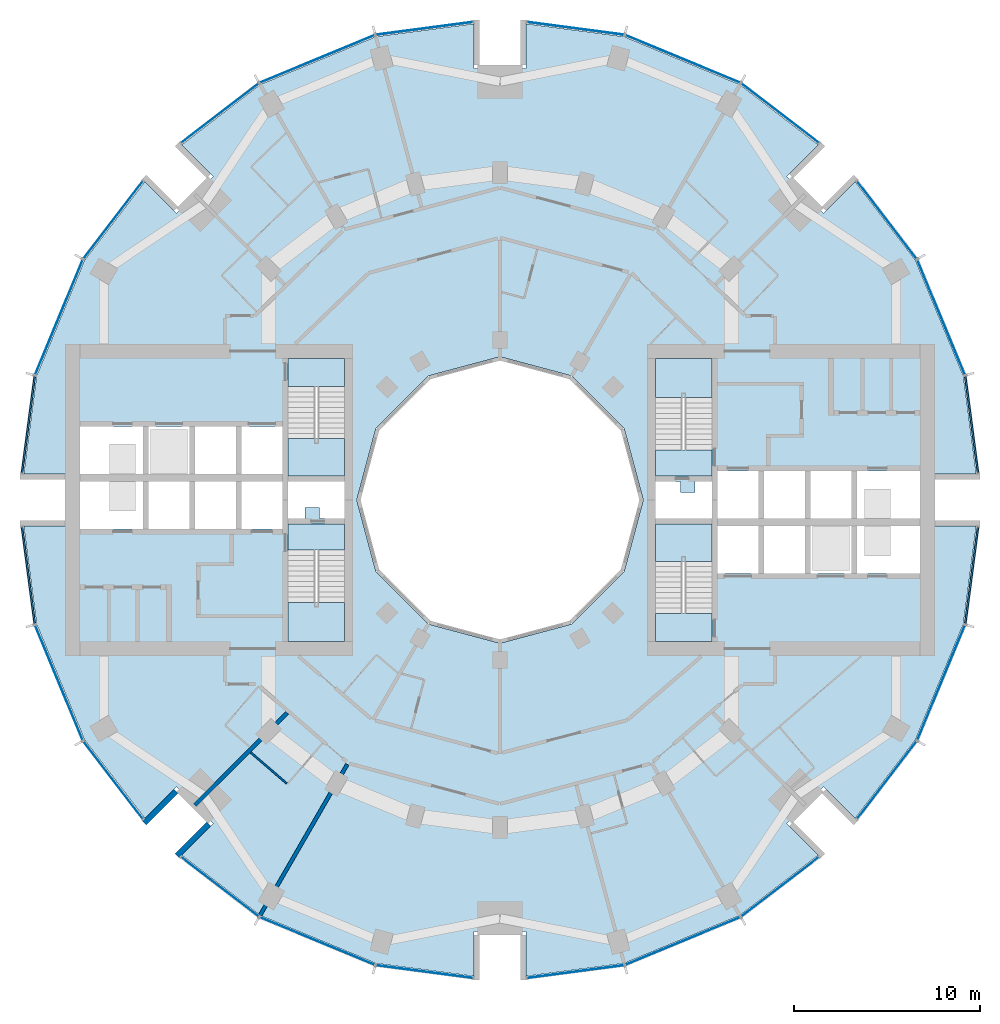
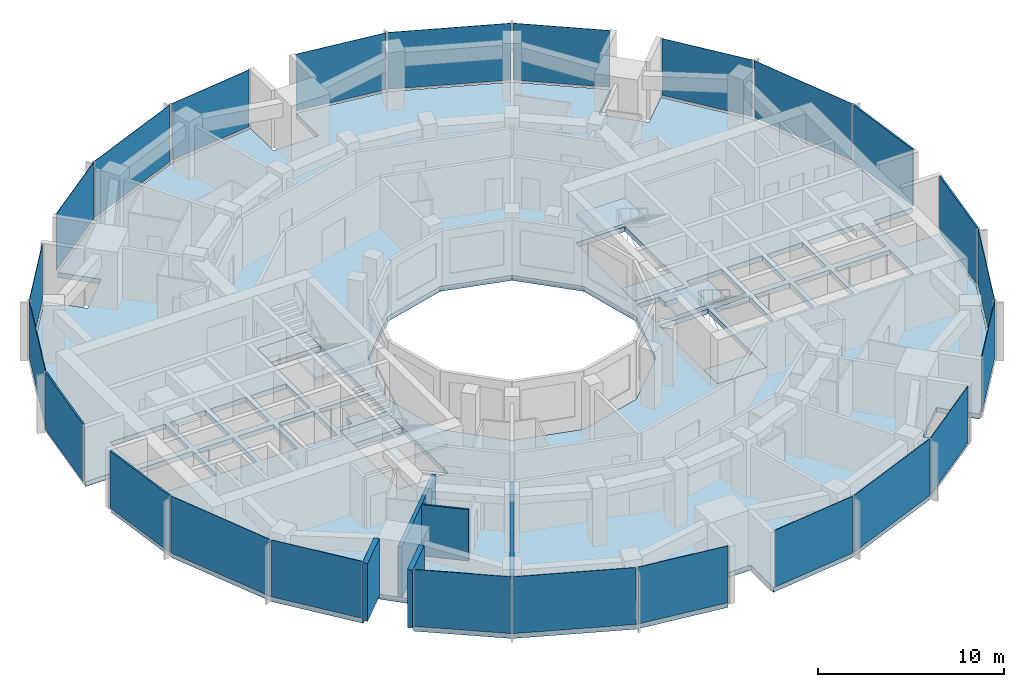
# One storey, part 7 of 15: 24 plates, 9 slabs, 5 walls, 28 elements without a shape of their own.
"""IFC4 building model written with IfcOpenShell, lengths in metres."""

from ifc_helpers import new_model, si_unit, direction, frame, frame_2d, origin, origin_2d, place, context, subcontext, project, spatial, polyline, rectangle, outline, extrude, material, layer, layer_set, type_object, element, aggregate, save


model = new_model("IFC4")

# Units and contexts
model_context = context("Model", 3, precision=1e-05, world=origin(), true_north=direction((0.0, 1.0)))
body_context = subcontext(model_context, "Body", "Model", "MODEL_VIEW")
ifc_project = project(units=[si_unit("LENGTHUNIT", "METRE"), si_unit("AREAUNIT", "SQUARE_METRE"), si_unit("VOLUMEUNIT", "CUBIC_METRE"), si_unit("PLANEANGLEUNIT", "RADIAN"), si_unit("MASSUNIT", "GRAM", prefix="KILO")], contexts=[model_context])

# Site, building, storey
site_placement = place(None, origin())
site = spatial("IfcSite", under=ifc_project, at=site_placement, CompositionType="ELEMENT")
building_placement = place(site_placement, origin())
building = spatial("IfcBuilding", under=site, at=building_placement, Name="Torre Brocal", CompositionType="ELEMENT")
storey_placement = place(building_placement, frame((0.0, 0.0, 93.800048828125)))
storey = spatial("IfcBuildingStorey", under=building, at=storey_placement, Name="L21", CompositionType="ELEMENT", Elevation=93.800048828125)

# Curtain wall, plate
ifc_material_1 = material(Name="Aluminium and glass", Category="aluminium")
ifc_layer_1 = layer(ifc_material_1, 0.199951171875)
ifc_layer_set_1 = layer_set([ifc_layer_1], Name="Aluminium and glass")
curtain_wall_type_1 = type_object("IfcCurtainWallType", Name="CW-1 CURTAIN WALL 3800 HIGH", PredefinedType="NOTDEFINED", material=ifc_layer_set_1)
curtain_wall_1_placement = place(storey_placement, origin())
curtain_wall_1 = element("IfcCurtainWall", 1, at=curtain_wall_1_placement, inside=storey, type_object=curtain_wall_type_1, Name="CW-1 RUN 2", PredefinedType="NOTDEFINED")
ifc_material_2 = material(Name="Glass, dark tinted laminated", Category="glass")
ifc_layer_2 = layer(ifc_material_2, 0.031982421875)
ifc_layer_set_2 = layer_set([ifc_layer_2], Name="Glass, dark tinted laminated")
plate_type_1 = type_object("IfcPlateType", Name="CW-1 GLASS PANEL 32", PredefinedType="CURTAIN_PANEL", material=ifc_layer_set_2)
plate_1_placement = place(storey_placement, frame((103.722900390625, 84.826416015625, 0.080078125), z_axis=(0.0, 0.0, 1.0), x_axis=(-0.382683432333, 0.923879532525, 0.0)))
plate_1 = element("IfcPlate", 2, at=plate_1_placement, type_object=plate_type_1, Name="CW1-1 panel 1.1", PredefinedType="CURTAIN_PANEL", context=body_context, shape_type="SweptSolid", body=[
    extrude(rectangle(XDim=6.64111328125, YDim=0.031982421875, at=origin_2d()), origin(), (0.0, 0.0, 1.0), 3.719970703125),
])
aggregate(curtain_wall_1, [plate_1])

curtain_wall_2_placement = place(storey_placement, origin())
curtain_wall_2 = element("IfcCurtainWall", 3, at=curtain_wall_2_placement, inside=storey, type_object=curtain_wall_type_1, Name="CW-1 RUN 3", PredefinedType="NOTDEFINED")
plate_2_placement = place(storey_placement, frame((100.80126953125, 90.0712890625, 0.080078125), z_axis=(0.0, 0.0, 1.0), x_axis=(-0.60876142905, 0.793353340259, 0.0)))
plate_2 = element("IfcPlate", 4, at=plate_2_placement, type_object=plate_type_1, Name="CW1-1 panel 1.1", PredefinedType="CURTAIN_PANEL", context=body_context, shape_type="SweptSolid", body=[
    extrude(rectangle(XDim=5.22900390625, YDim=0.031982421875, at=origin_2d()), origin(), (0.0, 0.0, 1.0), 3.719970703125),
])
aggregate(curtain_wall_2, [plate_2])

curtain_wall_3_placement = place(storey_placement, origin())
curtain_wall_3 = element("IfcCurtainWall", 5, at=curtain_wall_3_placement, inside=storey, type_object=curtain_wall_type_1, Name="CW-1 RUN 4", PredefinedType="NOTDEFINED")
plate_3_placement = place(storey_placement, frame((95.0712890625, 95.80126953125, 0.080078125), z_axis=(0.0, 0.0, 1.0), x_axis=(-0.793353340259, 0.60876142905, 0.0)))
plate_3 = element("IfcPlate", 6, at=plate_3_placement, type_object=plate_type_1, Name="CW1-1 panel 1.1", PredefinedType="CURTAIN_PANEL", context=body_context, shape_type="SweptSolid", body=[
    extrude(rectangle(XDim=5.22900390625, YDim=0.031982421875, at=origin_2d()), origin(), (0.0, 0.0, 1.0), 3.719970703125),
])
aggregate(curtain_wall_3, [plate_3])

curtain_wall_4_placement = place(storey_placement, origin())
curtain_wall_4 = element("IfcCurtainWall", 7, at=curtain_wall_4_placement, inside=storey, type_object=curtain_wall_type_1, Name="CW-1 RUN 5", PredefinedType="NOTDEFINED")
plate_4_placement = place(storey_placement, frame((89.826416015625, 98.722900390625, 0.080078125), z_axis=(0.0, 0.0, 1.0), x_axis=(-0.923879532525, 0.382683432333, 0.0)))
plate_4 = element("IfcPlate", 8, at=plate_4_placement, type_object=plate_type_1, Name="CW1-1 panel 1.1", PredefinedType="CURTAIN_PANEL", context=body_context, shape_type="SweptSolid", body=[
    extrude(rectangle(XDim=6.64111328125, YDim=0.031982421875, at=origin_2d()), origin(), (0.0, 0.0, 1.0), 3.719970703125),
])
aggregate(curtain_wall_4, [plate_4])

curtain_wall_5_placement = place(storey_placement, origin())
curtain_wall_5 = element("IfcCurtainWall", 9, at=curtain_wall_5_placement, inside=storey, type_object=curtain_wall_type_1, Name="CW-1 RUN 6", PredefinedType="NOTDEFINED")
plate_5_placement = place(storey_placement, frame((84.051513671875, 100.36572265625, 0.080078125), z_axis=(0.0, 0.0, 1.0), x_axis=(-0.991444861374, 0.13052619222, 0.0)))
plate_5 = element("IfcPlate", 10, at=plate_5_placement, type_object=plate_type_1, Name="CW1-1 panel 1.1", PredefinedType="CURTAIN_PANEL", context=body_context, shape_type="SweptSolid", body=[
    extrude(rectangle(XDim=5.22900390625, YDim=0.031982421875, at=origin_2d()), origin(), (0.0, 0.0, 1.0), 3.719970703125),
])
aggregate(curtain_wall_5, [plate_5])

curtain_wall_6_placement = place(storey_placement, origin())
curtain_wall_6 = element("IfcCurtainWall", 11, at=curtain_wall_6_placement, inside=storey, type_object=curtain_wall_type_1, Name="CW-1 RUN 7", PredefinedType="NOTDEFINED")
plate_6_placement = place(storey_placement, frame((75.948486328125, 100.36572265625, 0.080078125), z_axis=(0.0, 0.0, 1.0), x_axis=(-0.991444861374, -0.13052619222, 0.0)))
plate_6 = element("IfcPlate", 12, at=plate_6_placement, type_object=plate_type_1, Name="CW1-1 panel 1.1", PredefinedType="CURTAIN_PANEL", context=body_context, shape_type="SweptSolid", body=[
    extrude(rectangle(XDim=5.22900390625, YDim=0.031982421875, at=origin_2d()), origin(), (0.0, 0.0, 1.0), 3.719970703125),
])
aggregate(curtain_wall_6, [plate_6])

curtain_wall_7_placement = place(storey_placement, origin())
curtain_wall_7 = element("IfcCurtainWall", 13, at=curtain_wall_7_placement, inside=storey, type_object=curtain_wall_type_1, Name="CW-1 RUN 8", PredefinedType="NOTDEFINED")
plate_7_placement = place(storey_placement, frame((70.173583984375, 98.722900390625, 0.080078125), z_axis=(0.0, 0.0, 1.0), x_axis=(-0.923879532525, -0.382683432333, 0.0)))
plate_7 = element("IfcPlate", 14, at=plate_7_placement, type_object=plate_type_1, Name="CW1-1 panel 1.1", PredefinedType="CURTAIN_PANEL", context=body_context, shape_type="SweptSolid", body=[
    extrude(rectangle(XDim=6.64111328125, YDim=0.031982421875, at=origin_2d()), origin(), (0.0, 0.0, 1.0), 3.719970703125),
])
aggregate(curtain_wall_7, [plate_7])

curtain_wall_8_placement = place(storey_placement, origin())
curtain_wall_8 = element("IfcCurtainWall", 15, at=curtain_wall_8_placement, inside=storey, type_object=curtain_wall_type_1, Name="CW-1 RUN 9", PredefinedType="NOTDEFINED")
plate_8_placement = place(storey_placement, frame((64.9287109375, 95.80126953125, 0.080078125), z_axis=(0.0, 0.0, 1.0), x_axis=(-0.793353340259, -0.60876142905, 0.0)))
plate_8 = element("IfcPlate", 16, at=plate_8_placement, type_object=plate_type_1, Name="CW1-1 panel 1.1", PredefinedType="CURTAIN_PANEL", context=body_context, shape_type="SweptSolid", body=[
    extrude(rectangle(XDim=5.22900390625, YDim=0.031982421875, at=origin_2d()), origin(), (0.0, 0.0, 1.0), 3.719970703125),
])
aggregate(curtain_wall_8, [plate_8])

curtain_wall_9_placement = place(storey_placement, origin())
curtain_wall_9 = element("IfcCurtainWall", 17, at=curtain_wall_9_placement, inside=storey, type_object=curtain_wall_type_1, Name="CW-1 RUN 10", PredefinedType="NOTDEFINED")
plate_9_placement = place(storey_placement, frame((59.19873046875, 90.0712890625, 0.080078125), z_axis=(0.0, 0.0, 1.0), x_axis=(-0.60876142905, -0.793353340259, 0.0)))
plate_9 = element("IfcPlate", 18, at=plate_9_placement, type_object=plate_type_1, Name="CW1-1 panel 1.1", PredefinedType="CURTAIN_PANEL", context=body_context, shape_type="SweptSolid", body=[
    extrude(rectangle(XDim=5.22900390625, YDim=0.031982421875, at=origin_2d()), origin(), (0.0, 0.0, 1.0), 3.719970703125),
])
aggregate(curtain_wall_9, [plate_9])

curtain_wall_10_placement = place(storey_placement, origin())
curtain_wall_10 = element("IfcCurtainWall", 19, at=curtain_wall_10_placement, inside=storey, type_object=curtain_wall_type_1, Name="CW-1 RUN 11", PredefinedType="NOTDEFINED")
plate_10_placement = place(storey_placement, frame((56.277099609375, 84.826416015625, 0.080078125), z_axis=(0.0, 0.0, 1.0), x_axis=(-0.382683432333, -0.923879532525, 0.0)))
plate_10 = element("IfcPlate", 20, at=plate_10_placement, type_object=plate_type_1, Name="CW1-1 panel 1.1", PredefinedType="CURTAIN_PANEL", context=body_context, shape_type="SweptSolid", body=[
    extrude(rectangle(XDim=6.64111328125, YDim=0.031982421875, at=origin_2d()), origin(), (0.0, 0.0, 1.0), 3.719970703125),
])
aggregate(curtain_wall_10, [plate_10])

curtain_wall_11_placement = place(storey_placement, origin())
curtain_wall_11 = element("IfcCurtainWall", 21, at=curtain_wall_11_placement, inside=storey, type_object=curtain_wall_type_1, Name="CW-1 RUN 14", PredefinedType="NOTDEFINED")
plate_11_placement = place(storey_placement, frame((56.277099609375, 65.173583984375, 0.080078125), z_axis=(0.0, 0.0, 1.0), x_axis=(0.382683432333, -0.923879532525, 0.0)))
plate_11 = element("IfcPlate", 22, at=plate_11_placement, type_object=plate_type_1, Name="CW1-1 panel 1.1", PredefinedType="CURTAIN_PANEL", context=body_context, shape_type="SweptSolid", body=[
    extrude(rectangle(XDim=6.64111328125, YDim=0.031982421875, at=origin_2d()), origin(), (0.0, 0.0, 1.0), 3.719970703125),
])
aggregate(curtain_wall_11, [plate_11])

curtain_wall_12_placement = place(storey_placement, origin())
curtain_wall_12 = element("IfcCurtainWall", 23, at=curtain_wall_12_placement, inside=storey, type_object=curtain_wall_type_1, Name="CW-1 RUN 15", PredefinedType="NOTDEFINED")
plate_12_placement = place(storey_placement, frame((59.19873046875, 59.9287109375, 0.080078125), z_axis=(0.0, 0.0, 1.0), x_axis=(0.60876142905, -0.793353340259, 0.0)))
plate_12 = element("IfcPlate", 24, at=plate_12_placement, type_object=plate_type_1, Name="CW1-1 panel 1.1", PredefinedType="CURTAIN_PANEL", context=body_context, shape_type="SweptSolid", body=[
    extrude(rectangle(XDim=5.22900390625, YDim=0.031982421875, at=origin_2d()), origin(), (0.0, 0.0, 1.0), 3.719970703125),
])
aggregate(curtain_wall_12, [plate_12])

curtain_wall_13_placement = place(storey_placement, origin())
curtain_wall_13 = element("IfcCurtainWall", 25, at=curtain_wall_13_placement, inside=storey, type_object=curtain_wall_type_1, Name="CW-1 RUN 16", PredefinedType="NOTDEFINED")
plate_13_placement = place(storey_placement, frame((64.9287109375, 54.19873046875, 0.080078125), z_axis=(0.0, 0.0, 1.0), x_axis=(0.793353340259, -0.60876142905, 0.0)))
plate_13 = element("IfcPlate", 26, at=plate_13_placement, type_object=plate_type_1, Name="CW1-1 panel 1.1", PredefinedType="CURTAIN_PANEL", context=body_context, shape_type="SweptSolid", body=[
    extrude(rectangle(XDim=5.22900390625, YDim=0.031982421875, at=origin_2d()), origin(), (0.0, 0.0, 1.0), 3.719970703125),
])
aggregate(curtain_wall_13, [plate_13])

curtain_wall_14_placement = place(storey_placement, origin())
curtain_wall_14 = element("IfcCurtainWall", 27, at=curtain_wall_14_placement, inside=storey, type_object=curtain_wall_type_1, Name="CW-1 RUN 17", PredefinedType="NOTDEFINED")
plate_14_placement = place(storey_placement, frame((70.173583984375, 51.277099609375, 0.080078125), z_axis=(0.0, 0.0, 1.0), x_axis=(0.923879532525, -0.382683432333, 0.0)))
plate_14 = element("IfcPlate", 28, at=plate_14_placement, type_object=plate_type_1, Name="CW1-1 panel 1.1", PredefinedType="CURTAIN_PANEL", context=body_context, shape_type="SweptSolid", body=[
    extrude(rectangle(XDim=6.64111328125, YDim=0.031982421875, at=origin_2d()), origin(), (0.0, 0.0, 1.0), 3.719970703125),
])
aggregate(curtain_wall_14, [plate_14])

curtain_wall_15_placement = place(storey_placement, origin())
curtain_wall_15 = element("IfcCurtainWall", 29, at=curtain_wall_15_placement, inside=storey, type_object=curtain_wall_type_1, Name="CW-1 RUN 18", PredefinedType="NOTDEFINED")
plate_15_placement = place(storey_placement, frame((75.948486328125, 49.63427734375, 0.080078125), z_axis=(0.0, 0.0, 1.0), x_axis=(0.991444861374, -0.13052619222, 0.0)))
plate_15 = element("IfcPlate", 30, at=plate_15_placement, type_object=plate_type_1, Name="CW1-1 panel 1.1", PredefinedType="CURTAIN_PANEL", context=body_context, shape_type="SweptSolid", body=[
    extrude(rectangle(XDim=5.22900390625, YDim=0.031982421875, at=origin_2d()), origin(), (0.0, 0.0, 1.0), 3.719970703125),
])
aggregate(curtain_wall_15, [plate_15])

curtain_wall_16_placement = place(storey_placement, origin())
curtain_wall_16 = element("IfcCurtainWall", 31, at=curtain_wall_16_placement, inside=storey, type_object=curtain_wall_type_1, Name="CW-1 RUN 19", PredefinedType="NOTDEFINED")
plate_16_placement = place(storey_placement, frame((84.051513671875, 49.63427734375, 0.080078125), z_axis=(0.0, 0.0, 1.0), x_axis=(0.991444861374, 0.13052619222, 0.0)))
plate_16 = element("IfcPlate", 32, at=plate_16_placement, type_object=plate_type_1, Name="CW1-1 panel 1.1", PredefinedType="CURTAIN_PANEL", context=body_context, shape_type="SweptSolid", body=[
    extrude(rectangle(XDim=5.22900390625, YDim=0.031982421875, at=origin_2d()), origin(), (0.0, 0.0, 1.0), 3.719970703125),
])
aggregate(curtain_wall_16, [plate_16])

curtain_wall_17_placement = place(storey_placement, origin())
curtain_wall_17 = element("IfcCurtainWall", 33, at=curtain_wall_17_placement, inside=storey, type_object=curtain_wall_type_1, Name="CW-1 RUN 20", PredefinedType="NOTDEFINED")
plate_17_placement = place(storey_placement, frame((89.826416015625, 51.277099609375, 0.080078125), z_axis=(0.0, 0.0, 1.0), x_axis=(0.923879532525, 0.382683432333, 0.0)))
plate_17 = element("IfcPlate", 34, at=plate_17_placement, type_object=plate_type_1, Name="CW1-1 panel 1.1", PredefinedType="CURTAIN_PANEL", context=body_context, shape_type="SweptSolid", body=[
    extrude(rectangle(XDim=6.64111328125, YDim=0.031982421875, at=origin_2d()), origin(), (0.0, 0.0, 1.0), 3.719970703125),
])
aggregate(curtain_wall_17, [plate_17])

curtain_wall_18_placement = place(storey_placement, origin())
curtain_wall_18 = element("IfcCurtainWall", 35, at=curtain_wall_18_placement, inside=storey, type_object=curtain_wall_type_1, Name="CW-1 RUN 21", PredefinedType="NOTDEFINED")
plate_18_placement = place(storey_placement, frame((95.0712890625, 54.19873046875, 0.080078125), z_axis=(0.0, 0.0, 1.0), x_axis=(0.793353340259, 0.60876142905, 0.0)))
plate_18 = element("IfcPlate", 36, at=plate_18_placement, type_object=plate_type_1, Name="CW1-1 panel 1.1", PredefinedType="CURTAIN_PANEL", context=body_context, shape_type="SweptSolid", body=[
    extrude(rectangle(XDim=5.22900390625, YDim=0.031982421875, at=origin_2d()), origin(), (0.0, 0.0, 1.0), 3.719970703125),
])
aggregate(curtain_wall_18, [plate_18])

curtain_wall_19_placement = place(storey_placement, origin())
curtain_wall_19 = element("IfcCurtainWall", 37, at=curtain_wall_19_placement, inside=storey, type_object=curtain_wall_type_1, Name="CW-1 RUN 22", PredefinedType="NOTDEFINED")
plate_19_placement = place(storey_placement, frame((100.80126953125, 59.9287109375, 0.080078125), z_axis=(0.0, 0.0, 1.0), x_axis=(0.60876142905, 0.793353340259, 0.0)))
plate_19 = element("IfcPlate", 38, at=plate_19_placement, type_object=plate_type_1, Name="CW1-1 panel 1.1", PredefinedType="CURTAIN_PANEL", context=body_context, shape_type="SweptSolid", body=[
    extrude(rectangle(XDim=5.22900390625, YDim=0.031982421875, at=origin_2d()), origin(), (0.0, 0.0, 1.0), 3.719970703125),
])
aggregate(curtain_wall_19, [plate_19])

curtain_wall_20_placement = place(storey_placement, origin())
curtain_wall_20 = element("IfcCurtainWall", 39, at=curtain_wall_20_placement, inside=storey, type_object=curtain_wall_type_1, Name="CW-1 RUN 23", PredefinedType="NOTDEFINED")
plate_20_placement = place(storey_placement, frame((103.722900390625, 65.173583984375, 0.080078125), z_axis=(0.0, 0.0, 1.0), x_axis=(0.382683432333, 0.923879532525, 0.0)))
plate_20 = element("IfcPlate", 40, at=plate_20_placement, type_object=plate_type_1, Name="CW1-1 panel 1.1", PredefinedType="CURTAIN_PANEL", context=body_context, shape_type="SweptSolid", body=[
    extrude(rectangle(XDim=6.64111328125, YDim=0.031982421875, at=origin_2d()), origin(), (0.0, 0.0, 1.0), 3.719970703125),
])
aggregate(curtain_wall_20, [plate_20])

ifc_material_3 = material(Name="Aluminium and glass", Category="aluminium")
ifc_layer_3 = layer(ifc_material_3, 0.199951171875)
ifc_layer_set_3 = layer_set([ifc_layer_3], Name="Aluminium and glass")
curtain_wall_type_2 = type_object("IfcCurtainWallType", Name="CW-1B CURTAIN WALL 3800 HIGH", PredefinedType="NOTDEFINED", material=ifc_layer_set_3)
curtain_wall_21_placement = place(storey_placement, origin())
curtain_wall_21 = element("IfcCurtainWall", 41, at=curtain_wall_21_placement, inside=storey, type_object=curtain_wall_type_2, Name="CW-1B RUN 1", PredefinedType="NOTDEFINED")
ifc_material_4 = material(Name="Aluminium composite panel", Category="aluminium")
ifc_layer_4 = layer(ifc_material_4, 0.10009765625)
ifc_layer_set_4 = layer_set([ifc_layer_4], Name="Aluminium composite panel")
plate_type_2 = type_object("IfcPlateType", Name="CW-1B OPAQUE PANEL 100", PredefinedType="CURTAIN_PANEL", material=ifc_layer_set_4)
plate_21_placement = place(storey_placement, frame((105.36572265625, 79.051513671875, 0.080078125), z_axis=(0.0, 0.0, 1.0), x_axis=(-0.13052619222, 0.991444861374, 0.0)))
plate_21 = element("IfcPlate", 42, at=plate_21_placement, type_object=plate_type_2, Name="CW1B-1 panel 1.1", PredefinedType="CURTAIN_PANEL", context=body_context, shape_type="SweptSolid", body=[
    extrude(rectangle(XDim=5.22900390625, YDim=0.10009765625, at=origin_2d()), origin(), (0.0, 0.0, 1.0), 3.719970703125),
])
aggregate(curtain_wall_21, [plate_21])

curtain_wall_22_placement = place(storey_placement, origin())
curtain_wall_22 = element("IfcCurtainWall", 43, at=curtain_wall_22_placement, inside=storey, type_object=curtain_wall_type_2, Name="CW-1B RUN 12", PredefinedType="NOTDEFINED")
plate_22_placement = place(storey_placement, frame((54.63427734375, 79.051513671875, 0.080078125), z_axis=(0.0, 0.0, 1.0), x_axis=(-0.13052619222, -0.991444861374, 0.0)))
plate_22 = element("IfcPlate", 44, at=plate_22_placement, type_object=plate_type_2, Name="CW1B-1 panel 1.1", PredefinedType="CURTAIN_PANEL", context=body_context, shape_type="SweptSolid", body=[
    extrude(rectangle(XDim=5.22900390625, YDim=0.10009765625, at=origin_2d()), origin(), (0.0, 0.0, 1.0), 3.719970703125),
])
aggregate(curtain_wall_22, [plate_22])

curtain_wall_23_placement = place(storey_placement, origin())
curtain_wall_23 = element("IfcCurtainWall", 45, at=curtain_wall_23_placement, inside=storey, type_object=curtain_wall_type_2, Name="CW-1B RUN 13", PredefinedType="NOTDEFINED")
plate_23_placement = place(storey_placement, frame((54.63427734375, 70.948486328125, 0.080078125), z_axis=(0.0, 0.0, 1.0), x_axis=(0.13052619222, -0.991444861374, 0.0)))
plate_23 = element("IfcPlate", 46, at=plate_23_placement, type_object=plate_type_2, Name="CW1B-1 panel 1.1", PredefinedType="CURTAIN_PANEL", context=body_context, shape_type="SweptSolid", body=[
    extrude(rectangle(XDim=5.22900390625, YDim=0.10009765625, at=origin_2d()), origin(), (0.0, 0.0, 1.0), 3.719970703125),
])
aggregate(curtain_wall_23, [plate_23])

curtain_wall_24_placement = place(storey_placement, origin())
curtain_wall_24 = element("IfcCurtainWall", 47, at=curtain_wall_24_placement, inside=storey, type_object=curtain_wall_type_2, Name="CW-1B RUN 24", PredefinedType="NOTDEFINED")
plate_24_placement = place(storey_placement, frame((105.36572265625, 70.948486328125, 0.080078125), z_axis=(0.0, 0.0, 1.0), x_axis=(0.13052619222, 0.991444861374, 0.0)))
plate_24 = element("IfcPlate", 48, at=plate_24_placement, type_object=plate_type_2, Name="CW1B-1 panel 1.1", PredefinedType="CURTAIN_PANEL", context=body_context, shape_type="SweptSolid", body=[
    extrude(rectangle(XDim=5.22900390625, YDim=0.10009765625, at=origin_2d()), origin(), (0.0, 0.0, 1.0), 3.719970703125),
])
aggregate(curtain_wall_24, [plate_24])

# Stair, slab
ifc_material_5 = material(Name="Concrete C50", Category="concrete")
stair_type = type_object("IfcStairType", Name="EXIT STAIR", PredefinedType="HALF_TURN_STAIR", material=ifc_material_5)
stair_1_placement = place(storey_placement, origin())
stair_1 = element("IfcStair", 49, at=stair_1_placement, inside=storey, type_object=stair_type, Name="EXIT STAIR ST1", PredefinedType="HALF_TURN_STAIR")
ifc_material_6 = material(Name="Concrete C50", Category="concrete")
ifc_layer_5 = layer(ifc_material_6, 0.320068359375)
ifc_layer_set_5 = layer_set([ifc_layer_5], Name="Concrete C50")
slab_type_1 = type_object("IfcSlabType", Name="FLOOR LANDING 320", PredefinedType="LANDING", material=ifc_layer_set_5)
slab_1_placement = place(storey_placement, frame((0.0, 0.0, -0.320068359375)))
slab_1 = element("IfcSlab", 50, at=slab_1_placement, type_object=slab_type_1, Name="ST1 landing 1", PredefinedType="LANDING", context=body_context, shape_type="SweptSolid", body=[
    extrude(outline(polyline([(88.35009765625, 76.300048828125), (91.39990234375, 76.300048828125), (91.39990234375, 77.699951171875), (88.35009765625, 77.699951171875), (88.35009765625, 76.300048828125)])), origin(), (0.0, 0.0, 1.0), 0.320068359375),
])

stair_2_placement = place(storey_placement, origin())
stair_2 = element("IfcStair", 51, at=stair_2_placement, inside=storey, type_object=stair_type, Name="EXIT STAIR ST2", PredefinedType="HALF_TURN_STAIR")
slab_2_placement = place(storey_placement, frame((0.0, 0.0, -0.320068359375)))
slab_2 = element("IfcSlab", 52, at=slab_2_placement, type_object=slab_type_1, Name="ST2 landing 1", PredefinedType="LANDING", context=body_context, shape_type="SweptSolid", body=[
    extrude(outline(polyline([(88.35009765625, 67.39990234375), (91.39990234375, 67.39990234375), (91.39990234375, 68.89990234375), (88.35009765625, 68.89990234375), (88.35009765625, 67.39990234375)])), origin(), (0.0, 0.0, 1.0), 0.320068359375),
])

stair_3_placement = place(storey_placement, origin())
stair_3 = element("IfcStair", 53, at=stair_3_placement, inside=storey, type_object=stair_type, Name="EXIT STAIR ST3", PredefinedType="HALF_TURN_STAIR")
slab_3_placement = place(storey_placement, frame((0.0, 0.0, -0.320068359375)))
slab_3 = element("IfcSlab", 54, at=slab_3_placement, type_object=slab_type_1, Name="ST3 landing 1", PredefinedType="LANDING", context=body_context, shape_type="SweptSolid", body=[
    extrude(outline(polyline([(71.64990234375, 73.699951171875), (68.60009765625, 73.699951171875), (68.60009765625, 72.300048828125), (71.64990234375, 72.300048828125), (71.64990234375, 73.699951171875)])), origin(), (0.0, 0.0, 1.0), 0.320068359375),
])

stair_4_placement = place(storey_placement, origin())
stair_4 = element("IfcStair", 55, at=stair_4_placement, inside=storey, type_object=stair_type, Name="EXIT STAIR ST4", PredefinedType="HALF_TURN_STAIR")
slab_4_placement = place(storey_placement, frame((0.0, 0.0, -0.320068359375)))
slab_4 = element("IfcSlab", 56, at=slab_4_placement, type_object=slab_type_1, Name="ST4 landing 1", PredefinedType="LANDING", context=body_context, shape_type="SweptSolid", body=[
    extrude(outline(polyline([(71.64990234375, 82.60009765625), (68.60009765625, 82.60009765625), (68.60009765625, 81.10009765625), (71.64990234375, 81.10009765625), (71.64990234375, 82.60009765625)])), origin(), (0.0, 0.0, 1.0), 0.320068359375),
])

# Slab
ifc_material_7 = material(Name="Concrete C50", Category="concrete")
ifc_layer_6 = layer(ifc_material_7, 0.199951171875)
ifc_layer_set_6 = layer_set([ifc_layer_6], Name="Concrete C50")
slab_type_2 = type_object("IfcSlabType", Name="MID LANDING +1900", PredefinedType="LANDING", material=ifc_layer_set_6)
slab_5_placement = place(storey_placement, frame((0.0, 0.0, 1.699951171875)))
slab_5 = element("IfcSlab", 57, at=slab_5_placement, type_object=slab_type_2, Name="ST1 landing 2", PredefinedType="LANDING", context=body_context, shape_type="SweptSolid", body=[
    extrude(outline(polyline([(88.35009765625, 80.5), (91.39990234375, 80.5), (91.39990234375, 82.60009765625), (88.35009765625, 82.60009765625), (88.35009765625, 80.5)])), origin(), (0.0, 0.0, 1.0), 0.199951171875),
])

aggregate(stair_1, [slab_1, slab_5])

slab_6_placement = place(storey_placement, frame((0.0, 0.0, 1.699951171875)))
slab_6 = element("IfcSlab", 58, at=slab_6_placement, type_object=slab_type_2, Name="ST2 landing 2", PredefinedType="LANDING", context=body_context, shape_type="SweptSolid", body=[
    extrude(outline(polyline([(88.35009765625, 71.699951171875), (91.39990234375, 71.699951171875), (91.39990234375, 73.699951171875), (88.35009765625, 73.699951171875), (88.35009765625, 71.699951171875)])), origin(), (0.0, 0.0, 1.0), 0.199951171875),
])

aggregate(stair_2, [slab_2, slab_6])

slab_7_placement = place(storey_placement, frame((0.0, 0.0, 1.699951171875)))
slab_7 = element("IfcSlab", 59, at=slab_7_placement, type_object=slab_type_2, Name="ST3 landing 2", PredefinedType="LANDING", context=body_context, shape_type="SweptSolid", body=[
    extrude(outline(polyline([(71.64990234375, 69.5), (68.60009765625, 69.5), (68.60009765625, 67.39990234375), (71.64990234375, 67.39990234375), (71.64990234375, 69.5)])), origin(), (0.0, 0.0, 1.0), 0.199951171875),
])

aggregate(stair_3, [slab_3, slab_7])

slab_8_placement = place(storey_placement, frame((0.0, 0.0, 1.699951171875)))
slab_8 = element("IfcSlab", 60, at=slab_8_placement, type_object=slab_type_2, Name="ST4 landing 2", PredefinedType="LANDING", context=body_context, shape_type="SweptSolid", body=[
    extrude(outline(polyline([(71.64990234375, 78.300048828125), (68.60009765625, 78.300048828125), (68.60009765625, 76.300048828125), (71.64990234375, 76.300048828125), (71.64990234375, 78.300048828125)])), origin(), (0.0, 0.0, 1.0), 0.199951171875),
])

aggregate(stair_4, [slab_4, slab_8])

ifc_material_8 = material(Name="Concrete C45", Category="concrete")
ifc_layer_7 = layer(ifc_material_8, 0.320068359375)
ifc_layer_set_7 = layer_set([ifc_layer_7], Name="Concrete C45")
slab_type_3 = type_object("IfcSlabType", Name="PT FLOOR SLAB 320 C45", PredefinedType="FLOOR", material=ifc_layer_set_7)
slab_9_placement = place(storey_placement, frame((0.0, 0.0, -0.320068359375)))
element("IfcSlab", 61, at=slab_9_placement, inside=storey, type_object=slab_type_3, Name="Slab ST-05", PredefinedType="FLOOR", context=body_context, shape_type="SweptSolid", body=[
    extrude(outline(polyline([(103.199951171875, 76.39990234375), (103.199951171875, 73.60009765625), (105.614013671875, 73.60009765625), (104.919189453125, 68.322998046875), (102.342041015625, 62.100830078125), (99.101806640625, 57.878173828125), (97.394775390625, 59.5849609375), (95.4150390625, 57.605224609375), (97.121826171875, 55.898193359375), (92.899169921875, 52.657958984375), (86.677001953125, 50.080810546875), (81.39990234375, 49.385986328125), (81.39990234375, 51.800048828125), (78.60009765625, 51.800048828125), (78.60009765625, 49.385986328125), (73.322998046875, 50.080810546875), (67.100830078125, 52.657958984375), (62.878173828125, 55.898193359375), (64.5849609375, 57.605224609375), (62.605224609375, 59.5849609375), (60.898193359375, 57.878173828125), (57.657958984375, 62.100830078125), (55.080810546875, 68.322998046875), (54.385986328125, 73.60009765625), (56.800048828125, 73.60009765625), (56.800048828125, 76.39990234375), (54.385986328125, 76.39990234375), (55.080810546875, 81.677001953125), (57.657958984375, 87.899169921875), (60.898193359375, 92.121826171875), (62.605224609375, 90.4150390625), (64.5849609375, 92.394775390625), (62.878173828125, 94.101806640625), (67.100830078125, 97.342041015625), (73.322998046875, 99.919189453125), (78.60009765625, 100.614013671875), (78.60009765625, 98.199951171875), (81.39990234375, 98.199951171875), (81.39990234375, 100.614013671875), (86.677001953125, 99.919189453125), (92.899169921875, 97.342041015625), (97.121826171875, 94.101806640625), (95.4150390625, 92.394775390625), (97.394775390625, 90.4150390625), (99.101806640625, 92.121826171875), (102.342041015625, 87.899169921875), (104.919189453125, 81.677001953125), (105.614013671875, 76.39990234375), (103.199951171875, 76.39990234375)]), holes=[polyline([(102.60009765625, 74.0), (102.60009765625, 76.550048828125), (99.199951171875, 76.550048828125), (99.199951171875, 74.0), (102.60009765625, 74.0)]), polyline([(102.60009765625, 71.050048828125), (102.60009765625, 73.60009765625), (99.199951171875, 73.60009765625), (99.199951171875, 71.050048828125), (102.60009765625, 71.050048828125)]), polyline([(98.89990234375, 76.550048828125), (96.699951171875, 76.550048828125), (96.699951171875, 74.0), (98.89990234375, 74.0), (98.89990234375, 76.550048828125)]), polyline([(98.89990234375, 71.050048828125), (98.89990234375, 73.60009765625), (96.699951171875, 73.60009765625), (96.699951171875, 71.050048828125), (98.89990234375, 71.050048828125)]), polyline([(96.39990234375, 73.60009765625), (94.199951171875, 73.60009765625), (94.199951171875, 71.050048828125), (96.39990234375, 71.050048828125), (96.39990234375, 73.60009765625)]), polyline([(96.39990234375, 74.0), (96.39990234375, 76.550048828125), (94.199951171875, 76.550048828125), (94.199951171875, 74.0), (96.39990234375, 74.0)]), polyline([(93.89990234375, 73.60009765625), (91.699951171875, 73.60009765625), (91.699951171875, 71.050048828125), (93.89990234375, 71.050048828125), (93.89990234375, 73.60009765625)]), polyline([(93.89990234375, 74.0), (93.89990234375, 76.550048828125), (91.699951171875, 76.550048828125), (91.699951171875, 74.0), (93.89990234375, 74.0)]), polyline([(91.39990234375, 76.300048828125), (91.39990234375, 82.60009765625), (88.35009765625, 82.60009765625), (88.35009765625, 76.300048828125), (91.39990234375, 76.300048828125)]), polyline([(91.39990234375, 73.699951171875), (88.35009765625, 73.699951171875), (88.35009765625, 67.39990234375), (91.39990234375, 67.39990234375), (91.39990234375, 73.699951171875)]), polyline([(89.699951171875, 76.0), (88.35009765625, 76.0), (88.35009765625, 74.0), (91.39990234375, 74.0), (91.39990234375, 76.0), (90.5, 76.0), (90.5, 75.39990234375), (89.699951171875, 75.39990234375), (89.699951171875, 76.0)]), polyline([(80.0, 82.70703125), (76.146484375, 81.674560546875), (73.325439453125, 78.853515625), (72.29296875, 75.0), (73.325439453125, 71.146484375), (76.146484375, 68.325439453125), (80.0, 67.29296875), (83.853515625, 68.325439453125), (86.674560546875, 71.146484375), (87.70703125, 75.0), (86.674560546875, 78.853515625), (83.853515625, 81.674560546875), (80.0, 82.70703125)]), polyline([(68.60009765625, 82.60009765625), (68.60009765625, 76.300048828125), (71.64990234375, 76.300048828125), (71.64990234375, 82.60009765625), (68.60009765625, 82.60009765625)]), polyline([(70.300048828125, 74.0), (71.64990234375, 74.0), (71.64990234375, 76.0), (68.60009765625, 76.0), (68.60009765625, 74.0), (69.5, 74.0), (69.5, 74.60009765625), (70.300048828125, 74.60009765625), (70.300048828125, 74.0)]), polyline([(68.60009765625, 67.39990234375), (71.64990234375, 67.39990234375), (71.64990234375, 73.699951171875), (68.60009765625, 73.699951171875), (68.60009765625, 67.39990234375)]), polyline([(66.10009765625, 78.949951171875), (66.10009765625, 76.39990234375), (68.300048828125, 76.39990234375), (68.300048828125, 78.949951171875), (66.10009765625, 78.949951171875)]), polyline([(66.10009765625, 76.0), (66.10009765625, 73.449951171875), (68.300048828125, 73.449951171875), (68.300048828125, 76.0), (66.10009765625, 76.0)]), polyline([(63.60009765625, 76.0), (63.60009765625, 73.449951171875), (65.800048828125, 73.449951171875), (65.800048828125, 76.0), (63.60009765625, 76.0)]), polyline([(63.60009765625, 76.39990234375), (65.800048828125, 76.39990234375), (65.800048828125, 78.949951171875), (63.60009765625, 78.949951171875), (63.60009765625, 76.39990234375)]), polyline([(61.10009765625, 78.949951171875), (61.10009765625, 76.39990234375), (63.300048828125, 76.39990234375), (63.300048828125, 78.949951171875), (61.10009765625, 78.949951171875)]), polyline([(61.10009765625, 73.449951171875), (63.300048828125, 73.449951171875), (63.300048828125, 76.0), (61.10009765625, 76.0), (61.10009765625, 73.449951171875)]), polyline([(57.39990234375, 73.449951171875), (60.800048828125, 73.449951171875), (60.800048828125, 76.0), (57.39990234375, 76.0), (57.39990234375, 73.449951171875)]), polyline([(57.39990234375, 78.949951171875), (57.39990234375, 76.39990234375), (60.800048828125, 76.39990234375), (60.800048828125, 78.949951171875), (57.39990234375, 78.949951171875)])]), origin(), (0.0, 0.0, 1.0), 0.320068359375),
])

# Walls
ifc_material_9 = material(Name="Concrete C80", Category="concrete")
ifc_layer_8 = layer(ifc_material_9, 0.300048828125)
ifc_layer_set_8 = layer_set([ifc_layer_8], Name="Concrete C80")
wall_type_1 = type_object("IfcWallType", Name="NOTCH RETURN WALL 300 C80", PredefinedType="NOTDEFINED", material=ifc_layer_set_8)
for number, where, z_axis, x_axis, name in (
    (62, (62.56982421875, 59.337646484375, 0.0), (0.0, 0.0, 1.0), (-0.707106781187, -0.707106781187, 0.0), "NOTCH RETURN WALL"),
    (63, (64.337646484375, 57.56982421875, 0.0), (0.0, 0.0, 1.0), (-0.707106781187, -0.707106781187, 0.0), "NOTCH RETURN WALL"),
):
    element("IfcWall", number, at=place(storey_placement, frame(where, z_axis=z_axis, x_axis=x_axis)), inside=storey, type_object=wall_type_1, Name=name, PredefinedType="NOTDEFINED", context=body_context, shape_type="SweptSolid", body=[
        extrude(rectangle(XDim=2.415771484375, YDim=0.300048828125, at=frame_2d((1.2080078125, 0.0))), origin(), (0.0, 0.0, 1.0), 3.800048828125),
    ])
ifc_material_10 = material(Name="Gypsum board", Category="Gypsum")
ifc_layer_9 = layer(ifc_material_10, 0.10009765625)
ifc_layer_set_9 = layer_set([ifc_layer_9], Name="Gypsum board")
wall_type_2 = type_object("IfcWallType", Name="PARTITION 100", PredefinedType="PARTITIONING", material=ifc_layer_set_9)
wall_1_placement = place(storey_placement, frame((66.57568359375, 61.434814453125, 0.0), z_axis=(0.0, 0.0, 1.0), x_axis=(0.757970550281, -0.652288774169, 0.0)))
element("IfcWall", 64, at=wall_1_placement, inside=storey, type_object=wall_type_2, Name="BATHROOM WALL", PredefinedType="PARTITIONING", context=body_context, shape_type="SweptSolid", body=[
    extrude(rectangle(XDim=2.575927734375, YDim=0.10009765625, at=frame_2d((1.2880859375, 0.0))), origin(), (0.0, 0.0, 1.0), 3.349853515625),
])
ifc_material_11 = material(Name="Gypsum board", Category="Gypsum")
ifc_layer_10 = layer(ifc_material_11, 0.199951171875)
ifc_layer_set_10 = layer_set([ifc_layer_10], Name="Gypsum board")
wall_type_3 = type_object("IfcWallType", Name="PARTITION 200 EI60", PredefinedType="PARTITIONING", material=ifc_layer_set_10)
wall_2_placement = place(storey_placement, frame((63.593505859375, 58.597900390625, 0.0), z_axis=(0.0, 0.0, 1.0), x_axis=(0.707228748718, 0.706984792613, 0.0)))
element("IfcWall", 65, at=wall_2_placement, inside=storey, type_object=wall_type_3, Name="BATHROOM WALL", PredefinedType="PARTITIONING", context=body_context, shape_type="SweptSolid", body=[
    extrude(rectangle(XDim=7.00537109375, YDim=0.199951171875, at=frame_2d((3.502685546875, 0.0))), origin(), (0.0, 0.0, 1.0), 3.349853515625),
])
wall_3_placement = place(storey_placement, frame((67.095947265625, 52.66162109375, 0.0), z_axis=(0.0, 0.0, 1.0), x_axis=(0.500222922337, 0.865896661253, 0.0)))
element("IfcWall", 66, at=wall_3_placement, inside=storey, type_object=wall_type_3, Name="PARTY PARTITION", PredefinedType="PARTITIONING", context=body_context, shape_type="SweptSolid", body=[
    extrude(rectangle(XDim=9.373779296875, YDim=0.199951171875, at=frame_2d((4.68701171875, 0.0))), origin(), (0.0, 0.0, 1.0), 3.349853515625),
])

save(model, "model.ifc")
